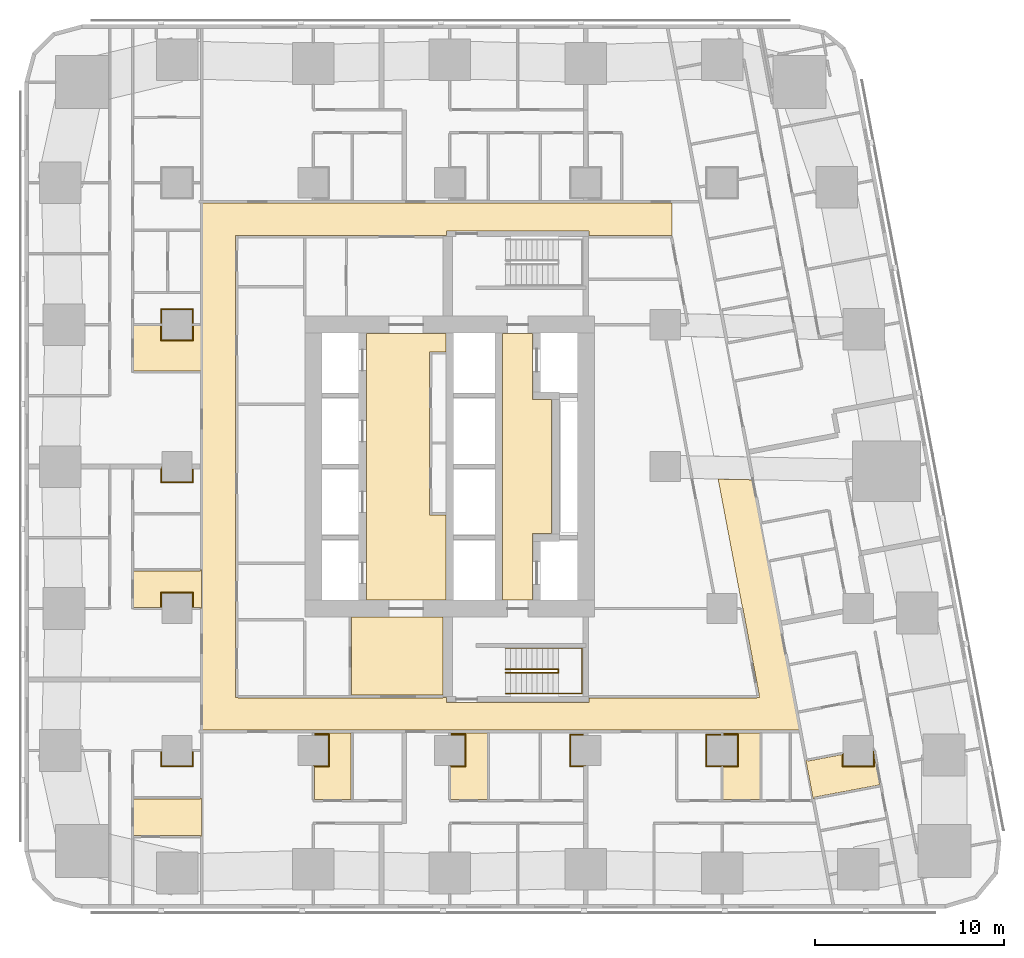
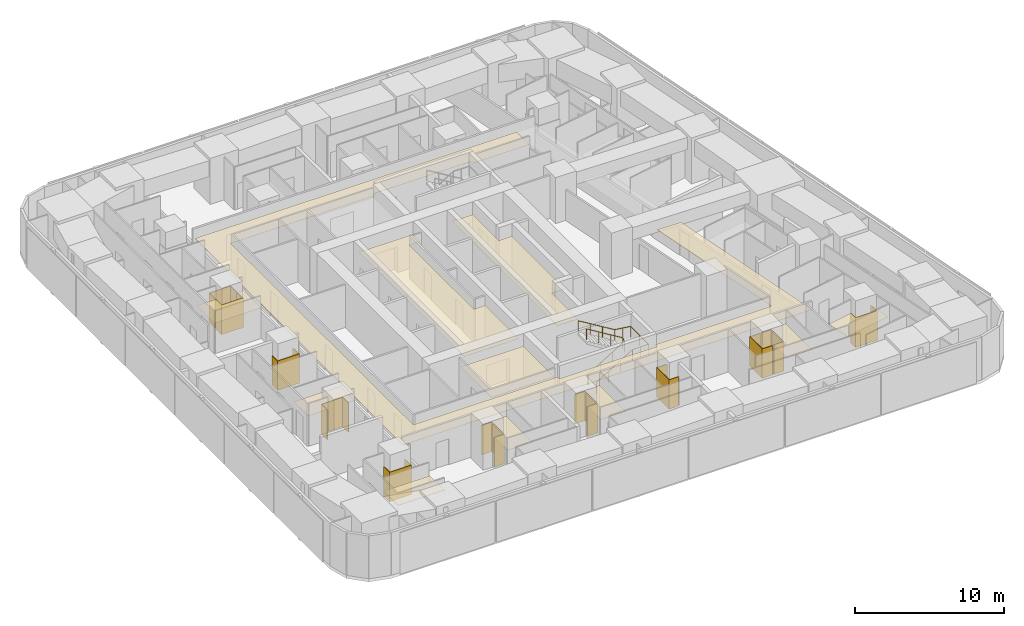
# One storey, part 15 of 17: 22 coverings, 2 railings.
"""IFC4 building model written with IfcOpenShell, lengths in metres."""

from ifc_helpers import new_model, si_unit, direction, frame, origin, origin_2d, place, context, subcontext, project, spatial, polyline, circle, outline, extrude, material, layer, layer_set, type_object, element, save


model = new_model("IFC4")

# Units and contexts
model_context = context("Model", 3, precision=1e-05, world=origin(), true_north=direction((0.0, 1.0)))
body_context = subcontext(model_context, "Body", "Model", "MODEL_VIEW")
ifc_project = project(units=[si_unit("LENGTHUNIT", "METRE"), si_unit("AREAUNIT", "SQUARE_METRE"), si_unit("VOLUMEUNIT", "CUBIC_METRE"), si_unit("PLANEANGLEUNIT", "RADIAN"), si_unit("MASSUNIT", "GRAM", prefix="KILO")], contexts=[model_context])

# Site, building, storey
site_placement = place(None, origin())
site = spatial("IfcSite", under=ifc_project, at=site_placement, CompositionType="ELEMENT")
building_placement = place(site_placement, origin())
building = spatial("IfcBuilding", under=site, at=building_placement, Name="Sheger Commons Tower", CompositionType="ELEMENT")
storey_placement = place(building_placement, frame((0.0, 0.0, 111.64990234375)))
storey = spatial("IfcBuildingStorey", under=building, at=storey_placement, Name="L28", CompositionType="ELEMENT", Elevation=111.64990234375)

# Railings
ifc_material_1 = material(Name="Steel handrail, black powder-coated", Category="steel")
railing_type = type_object("IfcRailingType", Name="HANDRAIL 900", PredefinedType="HANDRAIL", material=ifc_material_1)
railing_1_placement = place(storey_placement, frame((24.550048828125, 11.60009765625, 0.170654296875)))
element("IfcRailing", 1, at=railing_1_placement, inside=storey, type_object=railing_type, Name="Stair S1 handrail L28", PredefinedType="HANDRAIL", context=body_context, shape_type="SweptSolid", body=[
    extrude(circle(Radius=0.02392578125, at=origin_2d()), frame((0.0, 0.0, 0.8759765625), z_axis=(0.854202870247, 0.0, 0.519939858505), x_axis=(0.0, 1.0, 0.0)), (0.0, 0.0, 1.0), 3.278076171875),
    extrude(circle(Radius=0.02392578125, at=origin_2d()), frame((2.800048828125, 0.0, 2.580078125), z_axis=(0.0, 0.760631612298, 0.649183757016), x_axis=(-1.0, 0.0, 0.0)), (0.0, 0.0, 1.0), 0.262939453125),
    extrude(circle(Radius=0.02392578125, at=origin_2d()), frame((2.800048828125, 0.199951171875, 2.7509765625), z_axis=(-0.854202870247, 0.0, 0.519939858505), x_axis=(0.0, -1.0, 0.0)), (0.0, 0.0, 1.0), 3.278076171875),
    extrude(circle(Radius=0.02099609375, at=origin_2d()), origin(), (0.0, 0.0, 1.0), 0.851806640625),
    extrude(circle(Radius=0.02099609375, at=origin_2d()), frame((0.933349609375, 0.0, 0.568115234375)), (0.0, 0.0, 1.0), 0.851806640625),
    extrude(circle(Radius=0.02099609375, at=origin_2d()), frame((1.86669921875, 0.0, 1.13623046875)), (0.0, 0.0, 1.0), 0.851806640625),
    extrude(circle(Radius=0.02099609375, at=origin_2d()), frame((2.800048828125, 0.0, 1.704345703125)), (0.0, 0.0, 1.0), 0.851806640625),
    extrude(circle(Radius=0.02099609375, at=origin_2d()), frame((2.800048828125, 0.199951171875, 1.875)), (0.0, 0.0, 1.0), 0.851806640625),
    extrude(circle(Radius=0.02099609375, at=origin_2d()), frame((1.86669921875, 0.199951171875, 2.443115234375)), (0.0, 0.0, 1.0), 0.851806640625),
    extrude(circle(Radius=0.02099609375, at=origin_2d()), frame((0.933349609375, 0.199951171875, 3.01123046875)), (0.0, 0.0, 1.0), 0.851806640625),
    extrude(circle(Radius=0.02099609375, at=origin_2d()), frame((0.0, 0.199951171875, 3.579345703125)), (0.0, 0.0, 1.0), 0.851806640625),
])
railing_2_placement = place(storey_placement, frame((24.550048828125, 10.5, 0.170654296875)))
element("IfcRailing", 2, at=railing_2_placement, inside=storey, type_object=railing_type, Name="Stair S1 handrail L28", PredefinedType="HANDRAIL", context=body_context, shape_type="SweptSolid", body=[
    extrude(circle(Radius=0.02392578125, at=origin_2d()), frame((0.0, 0.0, 0.8759765625), z_axis=(0.854202870247, 0.0, 0.519939858505), x_axis=(0.0, 1.0, 0.0)), (0.0, 0.0, 1.0), 3.278076171875),
    extrude(circle(Radius=0.02392578125, at=origin_2d()), frame((2.800048828125, 0.0, 2.580078125), z_axis=(1.0, 0.0, 0.0), x_axis=(0.0, 1.0, 0.0)), (0.0, 0.0, 1.0), 1.25),
    extrude(circle(Radius=0.02392578125, at=origin_2d()), frame((4.050048828125, 0.0, 2.580078125), z_axis=(0.0, 1.0, 0.0), x_axis=(-1.0, 0.0, 0.0)), (0.0, 0.0, 1.0), 2.39990234375),
    extrude(circle(Radius=0.02392578125, at=origin_2d()), frame((4.050048828125, 2.39990234375, 2.580078125), z_axis=(-0.990808959222, 0.0, 0.135268645019), x_axis=(0.0, -1.0, 0.0)), (0.0, 0.0, 1.0), 1.261474609375),
    extrude(circle(Radius=0.02392578125, at=origin_2d()), frame((2.800048828125, 2.39990234375, 2.7509765625), z_axis=(-0.854202870247, 0.0, 0.519939858505), x_axis=(0.0, -1.0, 0.0)), (0.0, 0.0, 1.0), 3.278076171875),
    extrude(circle(Radius=0.02099609375, at=origin_2d()), origin(), (0.0, 0.0, 1.0), 0.851806640625),
    extrude(circle(Radius=0.02099609375, at=origin_2d()), frame((0.933349609375, 0.0, 0.568115234375)), (0.0, 0.0, 1.0), 0.851806640625),
    extrude(circle(Radius=0.02099609375, at=origin_2d()), frame((1.86669921875, 0.0, 1.13623046875)), (0.0, 0.0, 1.0), 0.851806640625),
    extrude(circle(Radius=0.02099609375, at=origin_2d()), frame((2.800048828125, 0.0, 1.704345703125)), (0.0, 0.0, 1.0), 0.851806640625),
    extrude(circle(Radius=0.02099609375, at=origin_2d()), frame((3.425048828125, 0.0, 1.704345703125)), (0.0, 0.0, 1.0), 0.851806640625),
    extrude(circle(Radius=0.02099609375, at=origin_2d()), frame((4.050048828125, 0.0, 1.704345703125)), (0.0, 0.0, 1.0), 0.851806640625),
    extrude(circle(Radius=0.02099609375, at=origin_2d()), frame((4.050048828125, 1.199951171875, 1.704345703125)), (0.0, 0.0, 1.0), 0.851806640625),
    extrude(circle(Radius=0.02099609375, at=origin_2d()), frame((4.050048828125, 2.39990234375, 1.704345703125)), (0.0, 0.0, 1.0), 0.851806640625),
    extrude(circle(Radius=0.02099609375, at=origin_2d()), frame((3.425048828125, 2.39990234375, 1.78955078125)), (0.0, 0.0, 1.0), 0.851806640625),
    extrude(circle(Radius=0.02099609375, at=origin_2d()), frame((2.800048828125, 2.39990234375, 1.875)), (0.0, 0.0, 1.0), 0.851806640625),
    extrude(circle(Radius=0.02099609375, at=origin_2d()), frame((1.86669921875, 2.39990234375, 2.443115234375)), (0.0, 0.0, 1.0), 0.851806640625),
    extrude(circle(Radius=0.02099609375, at=origin_2d()), frame((0.933349609375, 2.39990234375, 3.01123046875)), (0.0, 0.0, 1.0), 0.851806640625),
    extrude(circle(Radius=0.02099609375, at=origin_2d()), frame((0.0, 2.39990234375, 3.579345703125)), (0.0, 0.0, 1.0), 0.851806640625),
])

# Coverings
ifc_material_2 = material(Name="Moisture-resistant gypsum plasterboard 15 mm on a suspended galvanised steel grid", Category="steel")
ifc_layer_1 = layer(ifc_material_2, 0.014892578125)
ifc_layer_set_1 = layer_set([ifc_layer_1], Name="MOISTURE-RESISTANT CEILING 15")
covering_type_1 = type_object("IfcCoveringType", Name="MOISTURE-RESISTANT CEILING 15", PredefinedType="CEILING", material=ifc_layer_set_1)
covering_1_placement = place(storey_placement, frame((0.0, 0.0, 2.400146484375)))
element("IfcCovering", 3, at=covering_1_placement, inside=storey, type_object=covering_type_1, Name="L28-01.B2 ceiling", PredefinedType="CEILING", context=body_context, shape_type="SweptSolid", body=[
    extrude(outline(polyline([(8.429931640625, 2.948974609375), (8.5, 2.948974609375), (8.5, 4.9990234375), (8.429931640625, 4.9990234375), (8.429931640625, 4.944091796875), (4.905029296875, 4.944091796875), (4.905029296875, 3.00390625), (8.429931640625, 3.00390625), (8.429931640625, 2.948974609375)])), origin(), (0.0, 0.0, 1.0), 0.014892578125),
])
covering_2_placement = place(storey_placement, frame((0.0, 0.0, 2.400146484375)))
element("IfcCovering", 4, at=covering_2_placement, inside=storey, type_object=covering_type_1, Name="L28-02.B1 ceiling", PredefinedType="CEILING", context=body_context, shape_type="SweptSolid", body=[
    extrude(outline(polyline([(8.429931640625, 15.0), (8.5, 15.0), (8.5, 17.050048828125), (8.429931640625, 17.050048828125), (8.429931640625, 16.9951171875), (4.905029296875, 16.9951171875), (4.905029296875, 15.054931640625), (6.39501953125, 15.054931640625), (6.39501953125, 15.804931640625), (8.0048828125, 15.804931640625), (8.0048828125, 15.054931640625), (8.429931640625, 15.054931640625), (8.429931640625, 15.0)])), origin(), (0.0, 0.0, 1.0), 0.014892578125),
])
covering_3_placement = place(storey_placement, frame((0.0, 0.0, 2.400146484375)))
element("IfcCovering", 5, at=covering_3_placement, inside=storey, type_object=covering_type_1, Name="L28-03.B1 ceiling", PredefinedType="CEILING", context=body_context, shape_type="SweptSolid", body=[
    extrude(outline(polyline([(8.429931640625, 27.4990234375), (8.5, 27.4990234375), (8.5, 30.0), (8.429931640625, 30.0), (8.429931640625, 29.945068359375), (8.0048828125, 29.945068359375), (8.0048828125, 29.195068359375), (6.39501953125, 29.195068359375), (6.39501953125, 29.945068359375), (4.905029296875, 29.945068359375), (4.905029296875, 27.553955078125), (8.429931640625, 27.553955078125), (8.429931640625, 27.4990234375)])), origin(), (0.0, 0.0, 1.0), 0.014892578125),
])
covering_4_placement = place(storey_placement, frame((0.0, 0.0, 2.400146484375)))
element("IfcCovering", 6, at=covering_4_placement, inside=storey, type_object=covering_type_1, Name="L28-04.B1 ceiling", PredefinedType="CEILING", context=body_context, shape_type="SweptSolid", body=[
    extrude(outline(polyline([(14.455078125, 4.905029296875), (16.39501953125, 4.905029296875), (16.39501953125, 8.419921875), (14.455078125, 8.419921875), (14.455078125, 8.304931640625), (15.205078125, 8.304931640625), (15.205078125, 6.695068359375), (14.455078125, 6.695068359375), (14.455078125, 4.905029296875)])), origin(), (0.0, 0.0, 1.0), 0.014892578125),
])
covering_5_placement = place(storey_placement, frame((0.0, 0.0, 2.400146484375)))
element("IfcCovering", 7, at=covering_5_placement, inside=storey, type_object=covering_type_1, Name="L28-05.B1 ceiling", PredefinedType="CEILING", context=body_context, shape_type="SweptSolid", body=[
    extrude(outline(polyline([(21.655029296875, 4.905029296875), (23.594970703125, 4.905029296875), (23.594970703125, 8.419921875), (21.655029296875, 8.419921875), (21.655029296875, 8.304931640625), (22.405029296875, 8.304931640625), (22.405029296875, 6.695068359375), (21.655029296875, 6.695068359375), (21.655029296875, 4.905029296875)])), origin(), (0.0, 0.0, 1.0), 0.014892578125),
])
covering_6_placement = place(storey_placement, frame((0.0, 0.0, 2.400146484375)))
element("IfcCovering", 8, at=covering_6_placement, inside=storey, type_object=covering_type_1, Name="L28-06.B2 ceiling", PredefinedType="CEILING", context=body_context, shape_type="SweptSolid", body=[
    extrude(outline(polyline([(36.054931640625, 4.905029296875), (37.9951171875, 4.905029296875), (37.9951171875, 8.419921875), (36.054931640625, 8.419921875), (36.054931640625, 8.304931640625), (36.804931640625, 8.304931640625), (36.804931640625, 6.695068359375), (36.054931640625, 6.695068359375), (36.054931640625, 4.905029296875)])), origin(), (0.0, 0.0, 1.0), 0.014892578125),
])
covering_7_placement = place(storey_placement, frame((0.0, 0.0, 2.400146484375)))
element("IfcCovering", 9, at=covering_7_placement, inside=storey, type_object=covering_type_1, Name="L28-09.B2 ceiling", PredefinedType="CEILING", context=body_context, shape_type="SweptSolid", body=[
    extrude(outline(polyline([(40.81201171875, 4.962890625), (40.881103515625, 4.97607421875), (40.87109375, 5.030029296875), (44.333984375, 5.68408203125), (44.007080078125, 7.416015625), (44.0048828125, 7.416015625), (44.0048828125, 6.695068359375), (42.39501953125, 6.695068359375), (42.39501953125, 7.2919921875), (40.510009765625, 6.93603515625), (40.5, 6.990966796875), (40.431884765625, 6.97802734375), (40.81201171875, 4.962890625)])), origin(), (0.0, 0.0, 1.0), 0.014892578125),
])
ifc_material_3 = material(Name="Gypsum plasterboard 15 mm on a suspended steel grid", Category="steel")
ifc_layer_2 = layer(ifc_material_3, 0.014892578125)
ifc_layer_set_2 = layer_set([ifc_layer_2], Name="SUSPENDED CEILING 15")
covering_type_2 = type_object("IfcCoveringType", Name="SUSPENDED CEILING 15", PredefinedType="CEILING", material=ifc_layer_set_2)
covering_8_placement = place(storey_placement, frame((0.0, 0.0, 2.7001953125)))
element("IfcCovering", 10, at=covering_8_placement, inside=storey, type_object=covering_type_2, Name="L28-CO ceiling", PredefinedType="CEILING", context=body_context, shape_type="SweptSolid", body=[
    extrude(outline(polyline([(40.05810546875, 8.5), (40.14404296875, 8.5), (37.632080078125, 21.801025390625), (35.79296875, 21.837890625), (37.08203125, 15.013916015625), (37.09912109375, 15.01708984375), (37.967041015625, 10.4208984375), (37.949951171875, 10.4169921875), (37.971923828125, 10.300048828125), (37.841064453125, 10.300048828125), (37.841064453125, 10.281982421875), (28.955078125, 10.281982421875), (28.955078125, 10.044921875), (21.445068359375, 10.044921875), (21.445068359375, 10.300048828125), (21.2548828125, 10.300048828125), (21.2548828125, 10.281982421875), (10.407958984375, 10.281982421875), (10.407958984375, 10.294921875), (10.281982421875, 10.294921875), (10.281982421875, 34.705078125), (10.407958984375, 34.705078125), (10.407958984375, 34.718017578125), (21.2548828125, 34.718017578125), (21.2548828125, 34.699951171875), (21.445068359375, 34.699951171875), (21.445068359375, 34.955078125), (28.955078125, 34.955078125), (28.955078125, 34.718017578125), (33.3359375, 34.718017578125), (33.3359375, 34.699951171875), (33.361083984375, 34.699951171875), (33.361083984375, 36.419921875), (8.5, 36.419921875), (8.5, 8.580078125), (40.05810546875, 8.580078125), (40.05810546875, 8.5)])), origin(), (0.0, 0.0, 1.0), 0.014892578125),
])
covering_9_placement = place(storey_placement, frame((0.0, 0.0, 2.7001953125)))
element("IfcCovering", 11, at=covering_9_placement, inside=storey, type_object=covering_type_2, Name="L28-SVS1 ceiling", PredefinedType="CEILING", context=body_context, shape_type="SweptSolid", body=[
    extrude(outline(polyline([(16.406982421875, 10.41796875), (21.2451171875, 10.41796875), (21.2451171875, 14.544921875), (16.406982421875, 14.544921875), (16.406982421875, 10.41796875)])), origin(), (0.0, 0.0, 1.0), 0.014892578125),
])
covering_10_placement = place(storey_placement, frame((0.0, 0.0, 2.7001953125)))
element("IfcCovering", 12, at=covering_10_placement, inside=storey, type_object=covering_type_2, Name="L28-LL ceiling", PredefinedType="CEILING", context=body_context, shape_type="SweptSolid", body=[
    extrude(outline(polyline([(17.205078125, 15.455078125), (21.39990234375, 15.455078125), (21.39990234375, 19.93310546875), (20.657958984375, 19.93310546875), (20.532958984375, 19.93310546875), (20.532958984375, 28.56689453125), (20.657958984375, 28.56689453125), (21.39990234375, 28.56689453125), (21.39990234375, 29.544921875), (17.205078125, 29.544921875), (17.205078125, 15.455078125)])), origin(), (0.0, 0.0, 1.0), 0.014892578125),
])
covering_11_placement = place(storey_placement, frame((0.0, 0.0, 2.7001953125)))
element("IfcCovering", 13, at=covering_11_placement, inside=storey, type_object=covering_type_2, Name="L28-FL ceiling", PredefinedType="CEILING", context=body_context, shape_type="SweptSolid", body=[
    extrude(outline(polyline([(24.405029296875, 15.455078125), (25.9951171875, 15.455078125), (25.9951171875, 18.955078125), (26.9951171875, 18.955078125), (26.9951171875, 26.044921875), (25.9951171875, 26.044921875), (25.9951171875, 29.544921875), (24.405029296875, 29.544921875), (24.405029296875, 15.455078125)])), origin(), (0.0, 0.0, 1.0), 0.014892578125),
])
ifc_material_4 = material(Name="Moisture-resistant gypsum board 12.5 mm on 25 mm treated timber battens, tanked and tiled", Category="wood")
ifc_layer_3 = layer(ifc_material_4, 0.050048828125)
ifc_layer_set_3 = layer_set([ifc_layer_3], Name="WET-ROOM COLUMN LINING")
covering_type_3 = type_object("IfcCoveringType", Name="WET-ROOM COLUMN LINING", PredefinedType="CLADDING", material=ifc_layer_set_3)
covering_12_placement = place(storey_placement, origin())
element("IfcCovering", 14, at=covering_12_placement, inside=storey, type_object=covering_type_3, Name="Store and laundry column lining C9 L28", PredefinedType="CLADDING", context=body_context, shape_type="SweptSolid", body=[
    extrude(outline(polyline([(6.39990234375, 7.5), (6.39990234375, 6.699951171875), (8.0, 6.699951171875), (8.0, 7.5), (8.0009765625, 7.5), (8.0009765625, 7.449951171875), (8.050048828125, 7.449951171875), (8.050048828125, 6.64990234375), (6.35009765625, 6.64990234375), (6.35009765625, 7.449951171875), (6.39892578125, 7.449951171875), (6.39892578125, 7.5), (6.39990234375, 7.5)])), origin(), (0.0, 0.0, 1.0), 2.400146484375),
])
covering_13_placement = place(storey_placement, origin())
element("IfcCovering", 15, at=covering_13_placement, inside=storey, type_object=covering_type_3, Name="Bathroom column lining C9 L28", PredefinedType="CLADDING", context=body_context, shape_type="SweptSolid", body=[
    extrude(outline(polyline([(15.25, 6.64990234375), (14.449951171875, 6.64990234375), (14.449951171875, 6.698974609375), (14.39990234375, 6.698974609375), (14.39990234375, 6.699951171875), (15.199951171875, 6.699951171875), (15.199951171875, 8.300048828125), (14.39990234375, 8.300048828125), (14.39990234375, 8.301025390625), (14.449951171875, 8.301025390625), (14.449951171875, 8.35009765625), (15.25, 8.35009765625), (15.25, 6.64990234375)])), origin(), (0.0, 0.0, 1.0), 2.400146484375),
])
covering_14_placement = place(storey_placement, origin())
element("IfcCovering", 16, at=covering_14_placement, inside=storey, type_object=covering_type_3, Name="Bathroom column lining C9 L28", PredefinedType="CLADDING", context=body_context, shape_type="SweptSolid", body=[
    extrude(outline(polyline([(22.449951171875, 6.64990234375), (21.64990234375, 6.64990234375), (21.64990234375, 6.698974609375), (21.60009765625, 6.698974609375), (21.60009765625, 6.699951171875), (22.39990234375, 6.699951171875), (22.39990234375, 8.300048828125), (21.60009765625, 8.300048828125), (21.60009765625, 8.301025390625), (21.64990234375, 8.301025390625), (21.64990234375, 8.35009765625), (22.449951171875, 8.35009765625), (22.449951171875, 6.64990234375)])), origin(), (0.0, 0.0, 1.0), 2.400146484375),
])
covering_15_placement = place(storey_placement, origin())
element("IfcCovering", 17, at=covering_15_placement, inside=storey, type_object=covering_type_3, Name="Laundry room column lining C9 L28", PredefinedType="CLADDING", context=body_context, shape_type="SweptSolid", body=[
    extrude(outline(polyline([(28.675048828125, 8.35009765625), (28.675048828125, 8.301025390625), (28.800048828125, 8.301025390625), (28.800048828125, 8.300048828125), (28.0, 8.300048828125), (28.0, 6.699951171875), (28.800048828125, 6.699951171875), (28.800048828125, 6.698974609375), (28.675048828125, 6.698974609375), (28.675048828125, 6.64990234375), (27.949951171875, 6.64990234375), (27.949951171875, 8.35009765625), (28.675048828125, 8.35009765625)])), origin(), (0.0, 0.0, 1.0), 2.400146484375),
])
covering_16_placement = place(storey_placement, origin())
element("IfcCovering", 18, at=covering_16_placement, inside=storey, type_object=covering_type_3, Name="Laundry room column lining C9 L28", PredefinedType="CLADDING", context=body_context, shape_type="SweptSolid", body=[
    extrude(outline(polyline([(35.949951171875, 8.35009765625), (35.949951171875, 8.301025390625), (36.0, 8.301025390625), (36.0, 8.300048828125), (35.199951171875, 8.300048828125), (35.199951171875, 6.699951171875), (36.0, 6.699951171875), (36.0, 6.698974609375), (35.949951171875, 6.698974609375), (35.949951171875, 6.64990234375), (35.14990234375, 6.64990234375), (35.14990234375, 8.35009765625), (35.949951171875, 8.35009765625)])), origin(), (0.0, 0.0, 1.0), 2.400146484375),
])
covering_17_placement = place(storey_placement, origin())
element("IfcCovering", 19, at=covering_17_placement, inside=storey, type_object=covering_type_3, Name="Bathroom column lining C9 L28", PredefinedType="CLADDING", context=body_context, shape_type="SweptSolid", body=[
    extrude(outline(polyline([(36.85009765625, 6.64990234375), (36.050048828125, 6.64990234375), (36.050048828125, 6.698974609375), (36.0, 6.698974609375), (36.0, 6.699951171875), (36.800048828125, 6.699951171875), (36.800048828125, 8.300048828125), (36.0, 8.300048828125), (36.0, 8.301025390625), (36.050048828125, 8.301025390625), (36.050048828125, 8.35009765625), (36.85009765625, 8.35009765625), (36.85009765625, 6.64990234375)])), origin(), (0.0, 0.0, 1.0), 2.400146484375),
])
covering_18_placement = place(storey_placement, origin())
element("IfcCovering", 20, at=covering_18_placement, inside=storey, type_object=covering_type_3, Name="Bathroom column lining C9 L28", PredefinedType="CLADDING", context=body_context, shape_type="SweptSolid", body=[
    extrude(outline(polyline([(42.39990234375, 7.35009765625), (42.39990234375, 6.699951171875), (44.0, 6.699951171875), (44.0, 7.48095703125), (44.050048828125, 7.216064453125), (44.050048828125, 6.64990234375), (42.35009765625, 6.64990234375), (42.35009765625, 7.2890625), (42.39892578125, 7.298095703125), (42.389892578125, 7.347900390625), (42.39990234375, 7.35009765625)])), origin(), (0.0, 0.0, 1.0), 2.400146484375),
])
covering_19_placement = place(storey_placement, origin())
element("IfcCovering", 21, at=covering_19_placement, inside=storey, type_object=covering_type_3, Name="Bathroom column lining C9 L28", PredefinedType="CLADDING", context=body_context, shape_type="SweptSolid", body=[
    extrude(outline(polyline([(8.050048828125, 15.85009765625), (8.050048828125, 15.050048828125), (8.0009765625, 15.050048828125), (8.0009765625, 15.0), (8.0, 15.0), (8.0, 15.800048828125), (6.39990234375, 15.800048828125), (6.39990234375, 15.0), (6.39892578125, 15.0), (6.39892578125, 15.050048828125), (6.35009765625, 15.050048828125), (6.35009765625, 15.85009765625), (8.050048828125, 15.85009765625)])), origin(), (0.0, 0.0, 1.0), 2.400146484375),
])
covering_20_placement = place(storey_placement, origin())
element("IfcCovering", 22, at=covering_20_placement, inside=storey, type_object=covering_type_3, Name="Store and laundry column lining C9 L28", PredefinedType="CLADDING", context=body_context, shape_type="SweptSolid", body=[
    extrude(outline(polyline([(6.39990234375, 22.5), (6.39990234375, 21.699951171875), (8.0, 21.699951171875), (8.0, 22.5), (8.0009765625, 22.5), (8.0009765625, 22.375), (8.050048828125, 22.375), (8.050048828125, 21.64990234375), (6.35009765625, 21.64990234375), (6.35009765625, 22.375), (6.39892578125, 22.375), (6.39892578125, 22.5), (6.39990234375, 22.5)])), origin(), (0.0, 0.0, 1.0), 2.400146484375),
])
covering_21_placement = place(storey_placement, origin())
element("IfcCovering", 23, at=covering_21_placement, inside=storey, type_object=covering_type_3, Name="Bathroom column lining C9 L28", PredefinedType="CLADDING", context=body_context, shape_type="SweptSolid", body=[
    extrude(outline(polyline([(6.39990234375, 30.0), (6.39990234375, 29.199951171875), (8.0, 29.199951171875), (8.0, 30.0), (8.0009765625, 30.0), (8.0009765625, 29.949951171875), (8.050048828125, 29.949951171875), (8.050048828125, 29.14990234375), (6.35009765625, 29.14990234375), (6.35009765625, 29.949951171875), (6.39892578125, 29.949951171875), (6.39892578125, 30.0), (6.39990234375, 30.0)])), origin(), (0.0, 0.0, 1.0), 2.400146484375),
])
covering_22_placement = place(storey_placement, origin())
element("IfcCovering", 24, at=covering_22_placement, inside=storey, type_object=covering_type_3, Name="Laundry room column lining C9 L28", PredefinedType="CLADDING", context=body_context, shape_type="SweptSolid", body=[
    extrude(outline(polyline([(8.050048828125, 30.85009765625), (8.050048828125, 30.050048828125), (8.0009765625, 30.050048828125), (8.0009765625, 30.0), (8.0, 30.0), (8.0, 30.800048828125), (6.39990234375, 30.800048828125), (6.39990234375, 30.0), (6.39892578125, 30.0), (6.39892578125, 30.050048828125), (6.35009765625, 30.050048828125), (6.35009765625, 30.85009765625), (8.050048828125, 30.85009765625)])), origin(), (0.0, 0.0, 1.0), 2.400146484375),
])

save(model, "model.ifc")
